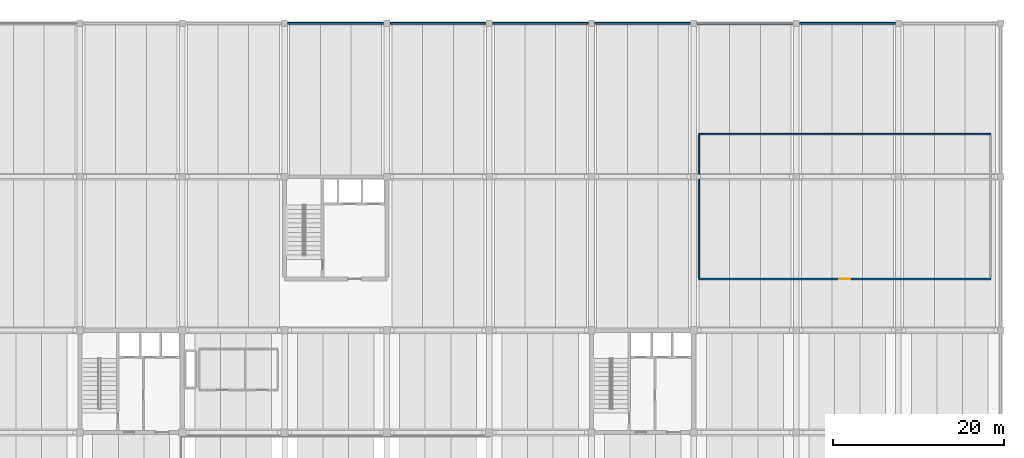
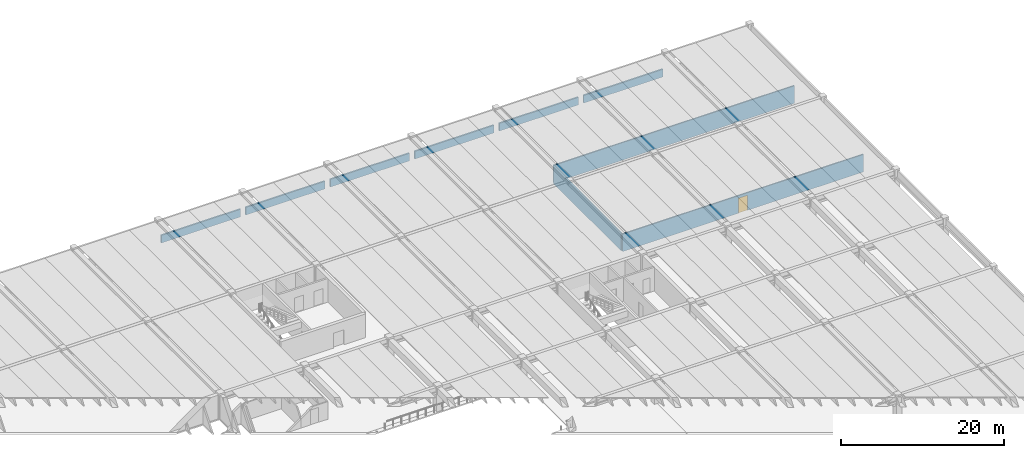
# One storey, part 11 of 16: 9 walls, 1 door, 1 opening.
"""IFC4 building model written with IfcOpenShell, lengths in metres."""

from ifc_helpers import new_model, si_unit, direction, frame, frame_2d, origin, place, context, subcontext, project, spatial, rectangle, extrude, material, layer, layer_set, type_object, element, fill, save


model = new_model("IFC4")

# Units and contexts
model_context = context("Model", 3, precision=1e-05, world=origin(), true_north=direction((0.0, 1.0)))
body_context = subcontext(model_context, "Body", "Model", "MODEL_VIEW")
ifc_project = project(units=[si_unit("LENGTHUNIT", "METRE"), si_unit("AREAUNIT", "SQUARE_METRE"), si_unit("VOLUMEUNIT", "CUBIC_METRE"), si_unit("PLANEANGLEUNIT", "RADIAN"), si_unit("MASSUNIT", "GRAM", prefix="KILO")], contexts=[model_context])

# Site, building, storey
site_placement = place(None, origin())
site = spatial("IfcSite", under=ifc_project, at=site_placement, CompositionType="ELEMENT")
building_placement = place(site_placement, origin())
building = spatial("IfcBuilding", under=site, at=building_placement, Name="Girod Span Mobility Hub", CompositionType="ELEMENT")
storey_placement = place(building_placement, frame((0.0, 0.0, 28.60009765625)))
storey = spatial("IfcBuildingStorey", under=building, at=storey_placement, Name="L07", CompositionType="ELEMENT", Elevation=28.60009765625)

# Wall, opening, door
ifc_material_1 = material(Name="Reinforced Concrete Masonry Block", Category="masonry")
ifc_layer_1 = layer(ifc_material_1, 0.179931640625)
ifc_layer_set_1 = layer_set([ifc_layer_1], Name="Reinforced Concrete Masonry Block")
wall_type_1 = type_object("IfcWallType", Name="W-FP-180", PredefinedType="SOLIDWALL", material=ifc_layer_set_1)
wall_1_placement = place(storey_placement, frame((120.60009765625, 75.0, 0.0), z_axis=(0.0, 0.0, 1.0), x_axis=(1.0, 0.0, 0.0)))
wall_1 = element("IfcWall", 1, at=wall_1_placement, inside=storey, type_object=wall_type_1, Name="Mechanical Plant EV Cooling Partition S", PredefinedType="SOLIDWALL", context=body_context, shape_type="SweptSolid", body=[
    extrude(rectangle(XDim=34.199951171875, YDim=0.179931640625, at=frame_2d((17.10009765625, 0.0))), origin(), (0.0, 0.0, 1.0), 2.639892578125),
])
opening_placement = place(wall_1_placement, frame((16.43994140625, 0.0, 0.0)))
opening = element("IfcOpeningElement", 2, at=opening_placement, cuts=wall_1, Name="Opening D-L07-EV-PLT", PredefinedType="OPENING", context=body_context, shape_type="SweptSolid", body=[
    extrude(rectangle(XDim=1.320068359375, YDim=2.260009765625, at=frame_2d((0.66015625, 1.1298828125))), frame((0.0, 0.10498046875, 0.0), z_axis=(0.0, -1.0, 0.0), x_axis=(1.0, 0.0, 0.0)), (0.0, 0.0, 1.0), 0.2099609375),
])
ifc_material_2 = material(Name="Fire-Rated Insulated Hollow Metal Steel", Category="steel")
door_type = type_object("IfcDoorType", Name="DT-FD-08", OperationType="DOUBLE_DOOR_SINGLE_SWING", PredefinedType="DOOR", material=ifc_material_2)
door_placement = place(opening_placement, origin())
door = element("IfcDoor", 3, at=door_placement, inside=storey, type_object=door_type, Name="Mechanical Plant EV Cooling Door", OperationType="DOUBLE_DOOR_SINGLE_SWING", OverallHeight=2.260009765625, OverallWidth=1.320068359375, PredefinedType="DOOR", context=body_context, shape_type="SweptSolid", body=[
    extrude(rectangle(XDim=1.320068359375, YDim=2.260009765625, at=frame_2d((0.66015625, 1.1298828125))), frame((0.0, 0.02490234375, 0.0), z_axis=(0.0, -1.0, 0.0), x_axis=(1.0, 0.0, 0.0)), (0.0, 0.0, 1.0), 0.050048828125),
])
fill(opening, door)

# Walls
wall_2_placement = place(storey_placement, frame((120.60009765625, 92.0, 0.0), z_axis=(0.0, 0.0, 1.0), x_axis=(1.0, 0.0, 0.0)))
element("IfcWall", 4, at=wall_2_placement, inside=storey, type_object=wall_type_1, Name="Mechanical Plant EV Cooling Partition N", PredefinedType="SOLIDWALL", context=body_context, shape_type="SweptSolid", body=[
    extrude(rectangle(XDim=34.199951171875, YDim=0.179931640625, at=frame_2d((17.10009765625, 0.0))), origin(), (0.0, 0.0, 1.0), 2.639892578125),
])
wall_3_placement = place(storey_placement, frame((120.60009765625, 75.159912109375, 0.0), z_axis=(0.0, 0.0, 1.0), x_axis=(0.0, 1.0, 0.0)))
element("IfcWall", 5, at=wall_3_placement, inside=storey, type_object=wall_type_1, Name="Mechanical Plant EV Cooling Partition W", PredefinedType="SOLIDWALL", context=body_context, shape_type="SweptSolid", body=[
    extrude(rectangle(XDim=16.68017578125, YDim=0.179931640625, at=frame_2d((8.340087890625, 0.0))), origin(), (0.0, 0.0, 1.0), 2.639892578125),
])
ifc_material_3 = material(Name="Precast Architectural Concrete C40/50", Category="concrete")
ifc_layer_2 = layer(ifc_material_3, 0.215087890625)
ifc_layer_set_2 = layer_set([ifc_layer_2], Name="Precast Architectural Concrete C40/50")
wall_type_2 = type_object("IfcWallType", Name="W-PAR-215", PredefinedType="PARAPET", material=ifc_layer_set_2)
for number, where, z_axis, x_axis, name in (
    (6, (72.373046875, 105.0, 0.0), (0.0, 0.0, 1.0), (1.0, 0.0, 0.0), "Precast Parking Barrier Parapet N-7 L07"),
    (7, (84.373046875, 105.0, 0.0), (0.0, 0.0, 1.0), (1.0, 0.0, 0.0), "Precast Parking Barrier Parapet N-8 L07"),
    (8, (96.373046875, 105.0, 0.0), (0.0, 0.0, 1.0), (1.0, 0.0, 0.0), "Precast Parking Barrier Parapet N-9 L07"),
    (9, (108.373046875, 105.0, 0.0), (0.0, 0.0, 1.0), (1.0, 0.0, 0.0), "Precast Parking Barrier Parapet N-10 L07"),
    (10, (120.373046875, 105.0, 0.0), (0.0, 0.0, 1.0), (1.0, 0.0, 0.0), "Precast Parking Barrier Parapet N-11 L07"),
    (11, (132.373046875, 105.0, 0.0), (0.0, 0.0, 1.0), (1.0, 0.0, 0.0), "Precast Parking Barrier Parapet N-12 L07"),
):
    element("IfcWall", number, at=place(storey_placement, frame(where, z_axis=z_axis, x_axis=x_axis)), inside=storey, type_object=wall_type_2, Name=name, PredefinedType="PARAPET", context=body_context, shape_type="SweptSolid", body=[
        extrude(rectangle(XDim=11.25390625, YDim=0.215087890625, at=frame_2d((5.626953125, 0.0))), origin(), (0.0, 0.0, 1.0), 1.14990234375),
    ])

save(model, "model.ifc")
